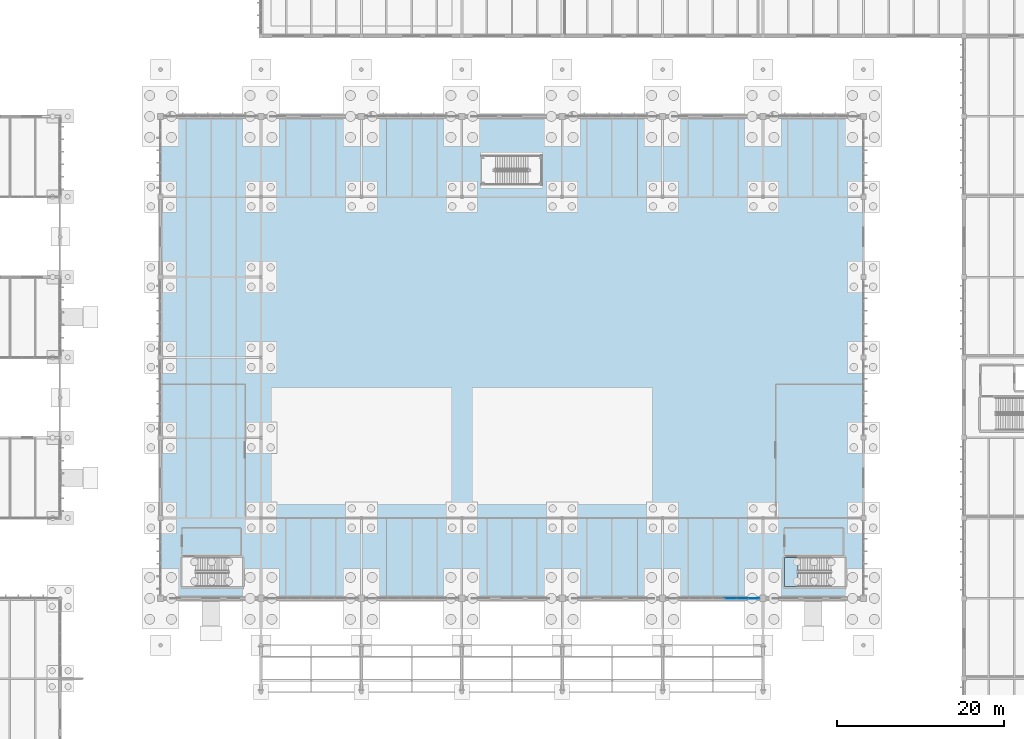
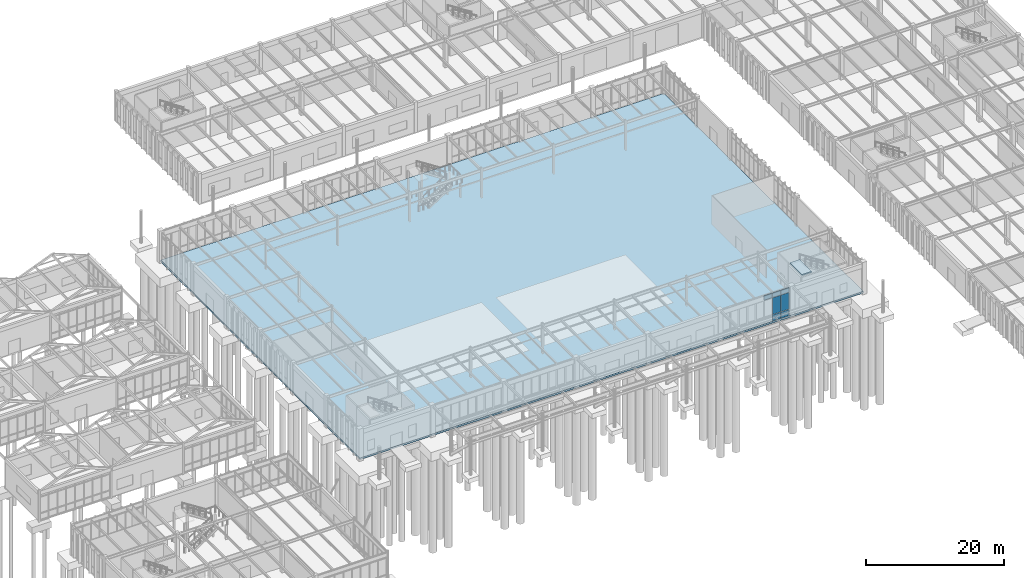
# One storey, part 134 of 188: 7 plates, 2 slabs, 2 elements without a shape of their own.
"""IFC4 building model written with IfcOpenShell, lengths in metres."""

from ifc_helpers import new_model, si_unit, direction, frame, origin, origin_2d, place, context, subcontext, project, spatial, polyline, rectangle, outline, extrude, material, layer, layer_set, type_object, element, aggregate, save


model = new_model("IFC4")

# Units and contexts
model_context = context("Model", 3, precision=1e-05, world=origin(), true_north=direction((0.0, 1.0)))
body_context = subcontext(model_context, "Body", "Model", "MODEL_VIEW")
ifc_project = project(units=[si_unit("LENGTHUNIT", "METRE"), si_unit("AREAUNIT", "SQUARE_METRE"), si_unit("VOLUMEUNIT", "CUBIC_METRE"), si_unit("PLANEANGLEUNIT", "RADIAN"), si_unit("MASSUNIT", "GRAM", prefix="KILO")], contexts=[model_context])

# Site, building, storey
site_placement = place(None, origin())
site = spatial("IfcSite", under=ifc_project, at=site_placement, CompositionType="ELEMENT")
building_placement = place(site_placement, origin())
building = spatial("IfcBuilding", under=site, at=building_placement, Name="Pandanus Reach Market Hall", CompositionType="ELEMENT")
storey_placement = place(building_placement, origin())
storey = spatial("IfcBuildingStorey", under=building, at=storey_placement, Name="L00", CompositionType="ELEMENT", Elevation=0.0)

# Curtain wall, plates
ifc_material_1 = material(Name="Bronze anodised aluminium and low-E glass", Category="aluminium")
ifc_layer_1 = layer(ifc_material_1, 0.199951171875, Name="CW-01")
ifc_layer_set_1 = layer_set([ifc_layer_1], Name="Bronze anodised aluminium and low-E glass")
curtain_wall_type = type_object("IfcCurtainWallType", Name="CW-01", PredefinedType="NOTDEFINED", material=ifc_layer_set_1)
curtain_wall_placement = place(storey_placement, origin())
curtain_wall = element("IfcCurtainWall", 1, at=curtain_wall_placement, inside=storey, type_object=curtain_wall_type, Name="Glazed curtain wall CW-01 CW-0007", PredefinedType="NOTDEFINED")
ifc_material_2 = material(Name="Acoustic laminated solar double glazing", Category="glass")
ifc_layer_2 = layer(ifc_material_2, 0.031982421875, Name="CW-P2")
ifc_layer_set_2 = layer_set([ifc_layer_2], Name="Acoustic laminated solar double glazing")
plate_type = type_object("IfcPlateType", Name="CW-P2", PredefinedType="CURTAIN_PANEL", material=ifc_layer_set_2)
plate_1_placement = place(storey_placement, frame((116.109375, 28.800048828125, 4.237548828125), z_axis=(0.0, 0.0, 1.0), x_axis=(1.0, 0.0, 0.0)))
plate_1 = element("IfcPlate", 2, at=plate_1_placement, type_object=plate_type, Name="CW-01 panel 6.3", PredefinedType="CURTAIN_PANEL", context=body_context, shape_type="SweptSolid", body=[
    extrude(rectangle(XDim=1.331298828125, YDim=0.031982421875, at=origin_2d()), origin(), (0.0, 0.0, 1.0), 0.78759765625),
])
plate_2_placement = place(storey_placement, frame((117.515625, 28.800048828125, 0.074951171875), z_axis=(0.0, 0.0, 1.0), x_axis=(1.0, 0.0, 0.0)))
plate_2 = element("IfcPlate", 3, at=plate_2_placement, type_object=plate_type, Name="CW-01 panel 7.1", PredefinedType="CURTAIN_PANEL", context=body_context, shape_type="SweptSolid", body=[
    extrude(rectangle(XDim=1.331298828125, YDim=0.031982421875, at=origin_2d()), origin(), (0.0, 0.0, 1.0), 1.08740234375),
])
plate_3_placement = place(storey_placement, frame((117.515625, 28.800048828125, 1.2373046875), z_axis=(0.0, 0.0, 1.0), x_axis=(1.0, 0.0, 0.0)))
plate_3 = element("IfcPlate", 4, at=plate_3_placement, type_object=plate_type, Name="CW-01 panel 7.2", PredefinedType="CURTAIN_PANEL", context=body_context, shape_type="SweptSolid", body=[
    extrude(rectangle(XDim=1.331298828125, YDim=0.031982421875, at=origin_2d()), origin(), (0.0, 0.0, 1.0), 2.925048828125),
])
plate_4_placement = place(storey_placement, frame((117.515625, 28.800048828125, 4.237548828125), z_axis=(0.0, 0.0, 1.0), x_axis=(1.0, 0.0, 0.0)))
plate_4 = element("IfcPlate", 5, at=plate_4_placement, type_object=plate_type, Name="CW-01 panel 7.3", PredefinedType="CURTAIN_PANEL", context=body_context, shape_type="SweptSolid", body=[
    extrude(rectangle(XDim=1.331298828125, YDim=0.031982421875, at=origin_2d()), origin(), (0.0, 0.0, 1.0), 0.78759765625),
])
plate_5_placement = place(storey_placement, frame((118.903076171875, 28.800048828125, 0.074951171875), z_axis=(0.0, 0.0, 1.0), x_axis=(1.0, 0.0, 0.0)))
plate_5 = element("IfcPlate", 6, at=plate_5_placement, type_object=plate_type, Name="CW-01 panel 8.1", PredefinedType="CURTAIN_PANEL", context=body_context, shape_type="SweptSolid", body=[
    extrude(rectangle(XDim=1.293701171875, YDim=0.031982421875, at=origin_2d()), origin(), (0.0, 0.0, 1.0), 1.08740234375),
])
plate_6_placement = place(storey_placement, frame((118.903076171875, 28.800048828125, 1.2373046875), z_axis=(0.0, 0.0, 1.0), x_axis=(1.0, 0.0, 0.0)))
plate_6 = element("IfcPlate", 7, at=plate_6_placement, type_object=plate_type, Name="CW-01 panel 8.2", PredefinedType="CURTAIN_PANEL", context=body_context, shape_type="SweptSolid", body=[
    extrude(rectangle(XDim=1.293701171875, YDim=0.031982421875, at=origin_2d()), origin(), (0.0, 0.0, 1.0), 2.925048828125),
])
plate_7_placement = place(storey_placement, frame((118.903076171875, 28.800048828125, 4.237548828125), z_axis=(0.0, 0.0, 1.0), x_axis=(1.0, 0.0, 0.0)))
plate_7 = element("IfcPlate", 8, at=plate_7_placement, type_object=plate_type, Name="CW-01 panel 8.3", PredefinedType="CURTAIN_PANEL", context=body_context, shape_type="SweptSolid", body=[
    extrude(rectangle(XDim=1.293701171875, YDim=0.031982421875, at=origin_2d()), origin(), (0.0, 0.0, 1.0), 0.78759765625),
])
aggregate(curtain_wall, [plate_1, plate_2, plate_3, plate_4, plate_5, plate_6, plate_7])

# Slab
ifc_material_3 = material(Name="Concrete N40 (40 MPa)", Category="concrete")
ifc_layer_3 = layer(ifc_material_3, 0.300048828125, Name="SL-L00-H")
ifc_layer_set_3 = layer_set([ifc_layer_3], Name="Concrete N40 (40 MPa)")
slab_type_1 = type_object("IfcSlabType", Name="SL-L00-H", PredefinedType="BASESLAB", material=ifc_layer_set_3)
slab_1_placement = place(storey_placement, frame((0.0, 0.0, -0.300048828125)))
element("IfcSlab", 9, at=slab_1_placement, inside=storey, type_object=slab_type_1, Name="Floor slab SL-L00-V1", PredefinedType="BASESLAB", context=body_context, shape_type="SweptSolid", body=[
    extrude(outline(polyline([(48.0, 28.800048828125), (132.0, 28.800048828125), (132.0, 86.39990234375), (48.0, 86.39990234375), (48.0, 28.800048828125)])), origin(), (0.0, 0.0, 1.0), 0.300048828125),
])

# Stair, slab
stair_type = type_object("IfcStairType", Name="STR-08", PredefinedType="HALF_TURN_STAIR", material=ifc_material_3)
stair_placement = place(storey_placement, origin())
stair = element("IfcStair", 10, at=stair_placement, inside=storey, type_object=stair_type, Name="Stair ST-08 L00", PredefinedType="HALF_TURN_STAIR")
ifc_layer_4 = layer(ifc_material_3, 0.199951171875, Name="SL-LND-200")
ifc_layer_set_4 = layer_set([ifc_layer_4], Name="Concrete N40 (40 MPa)")
slab_type_2 = type_object("IfcSlabType", Name="SL-LND-200", PredefinedType="LANDING", material=ifc_layer_set_4)
slab_2_placement = place(storey_placement, frame((0.0, 0.0, 5.199951171875)))
slab_2 = element("IfcSlab", 11, at=slab_2_placement, type_object=slab_type_2, Name="STR-08 landing 2", PredefinedType="LANDING", context=body_context, shape_type="SweptSolid", body=[
    extrude(outline(polyline([(122.550048828125, 30.199951171875), (124.199951171875, 30.199951171875), (124.199951171875, 33.699951171875), (122.550048828125, 33.699951171875), (122.550048828125, 30.199951171875)])), origin(), (0.0, 0.0, 1.0), 0.199951171875),
])
aggregate(stair, [slab_2])

save(model, "model.ifc")
